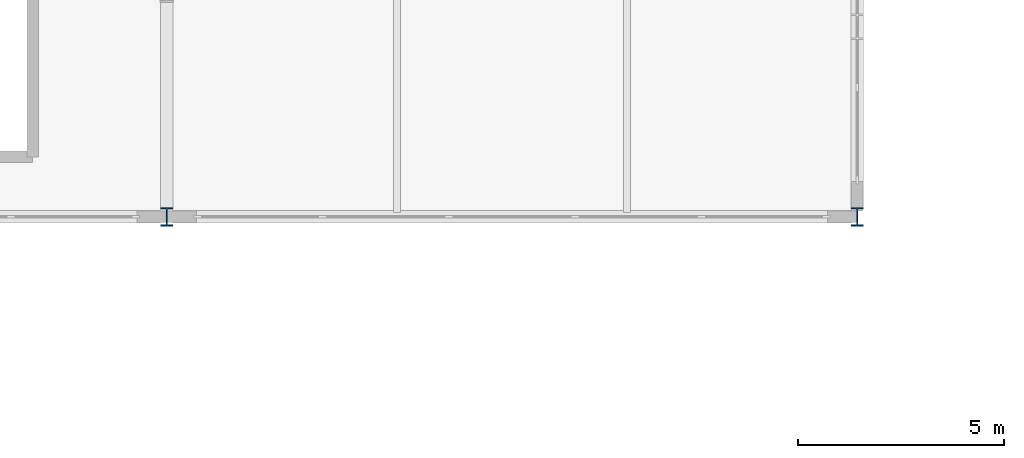
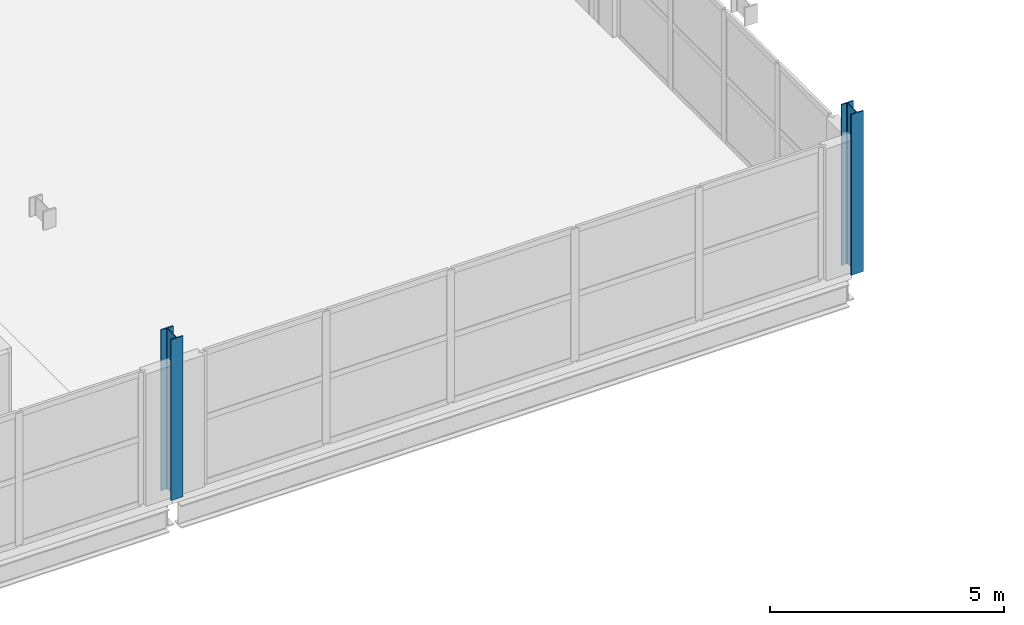
# One storey, part 2 of 39: 2 columns.
"""IFC4 building model written with IfcOpenShell, lengths in metres."""

from ifc_helpers import new_model, si_unit, direction, frame, origin, origin_2d, place, context, subcontext, project, spatial, i_section, extrude, material, material_profile, profile_set, type_object, element, save


model = new_model("IFC4")

# Units and contexts
model_context = context("Model", 3, precision=1e-05, world=origin(), true_north=direction((0.0, 1.0)))
body_context = subcontext(model_context, "Body", "Model", "MODEL_VIEW")
ifc_project = project(units=[si_unit("LENGTHUNIT", "METRE"), si_unit("AREAUNIT", "SQUARE_METRE"), si_unit("VOLUMEUNIT", "CUBIC_METRE"), si_unit("PLANEANGLEUNIT", "RADIAN"), si_unit("MASSUNIT", "GRAM", prefix="KILO")], contexts=[model_context])

# Site, building, storey
site_placement = place(None, origin())
site = spatial("IfcSite", under=ifc_project, at=site_placement, CompositionType="ELEMENT")
building_placement = place(site_placement, origin())
building = spatial("IfcBuilding", under=site, at=building_placement, Name="Kimbaza Rail Terminus", CompositionType="ELEMENT")
storey_placement = place(building_placement, frame((0.0, 0.0, 16.800048828125)))
storey = spatial("IfcBuildingStorey", under=building, at=storey_placement, Name="L03", CompositionType="ELEMENT", Elevation=16.800048828125)

# Columns
ifc_material = material(Name="Steel S355", Category="steel")
ifc_material_profile = material_profile(ifc_material, i_section(OverallWidth=0.300048828125, OverallDepth=0.449951171875, WebThickness=0.013916015625, FlangeThickness=0.02587890625, FilletRadius=0.027099609375, at=origin_2d()), Name="HEB 450")
ifc_profile_set = profile_set([ifc_material_profile], Name="Steel S355")
column_type = type_object("IfcColumnType", Name="STR-COL-HEB450", PredefinedType="COLUMN", material=ifc_profile_set)
for number, where, z_axis, x_axis, name in (
    (1, (139.199951171875, 80.199951171875, 0.0), (0.0, 0.0, 1.0), (1.0, 0.0, 0.0), "North Transfer Pier L03 (5,0)"),
    (2, (156.0, 80.199951171875, 0.0), (0.0, 0.0, 1.0), (1.0, 0.0, 0.0), "North Transfer Pier L03 (6,0)"),
):
    element("IfcColumn", number, at=place(storey_placement, frame(where, z_axis=z_axis, x_axis=x_axis)), inside=storey, type_object=column_type, Name=name, PredefinedType="COLUMN", context=body_context, shape_type="SweptSolid", body=[
        extrude(i_section(OverallWidth=0.300048828125, OverallDepth=0.449951171875, WebThickness=0.013916015625, FlangeThickness=0.02587890625, FilletRadius=0.027099609375, at=origin_2d()), origin(), (0.0, 0.0, 1.0), 4.199951171875),
    ])

save(model, "model.ifc")
